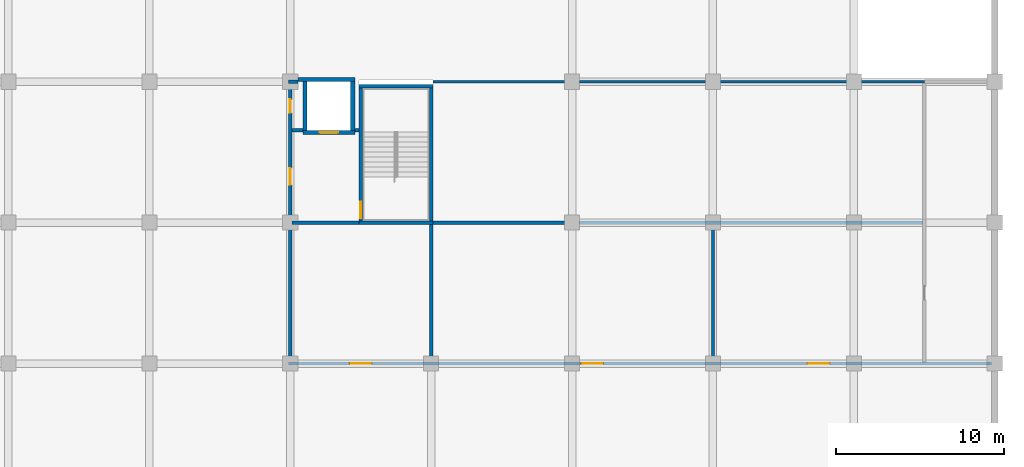
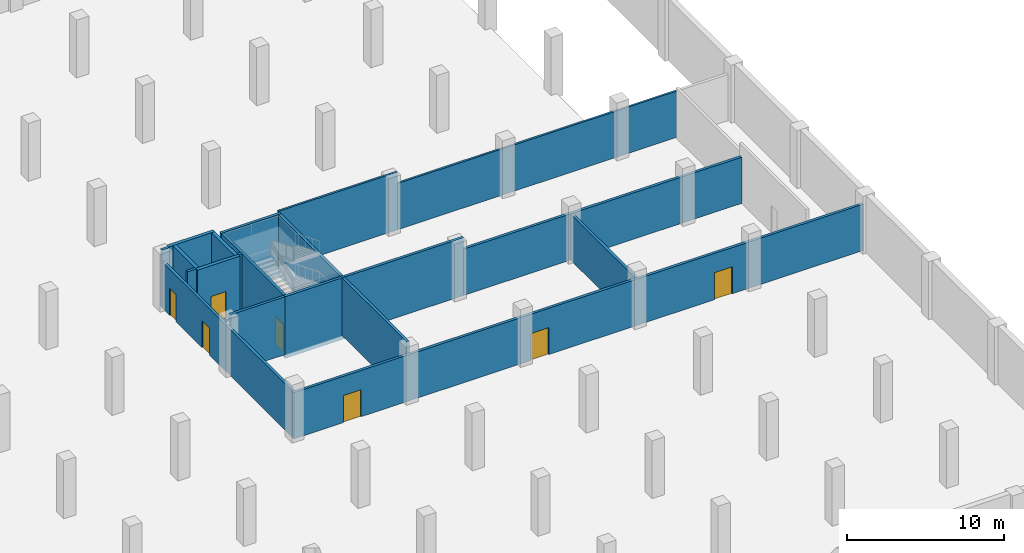
# One storey, part 4 of 13: 20 walls, 7 doors, 7 openings.
"""IFC4 building model written with IfcOpenShell, lengths in metres."""

from ifc_helpers import new_model, si_unit, direction, frame, frame_2d, origin, place, context, subcontext, project, spatial, rectangle, extrude, material, layer, layer_set, type_object, element, fill, save


model = new_model("IFC4")

# Units and contexts
model_context = context("Model", 3, precision=1e-05, world=origin(), true_north=direction((0.0, 1.0)))
body_context = subcontext(model_context, "Body", "Model", "MODEL_VIEW")
ifc_project = project(units=[si_unit("LENGTHUNIT", "METRE"), si_unit("AREAUNIT", "SQUARE_METRE"), si_unit("VOLUMEUNIT", "CUBIC_METRE"), si_unit("PLANEANGLEUNIT", "RADIAN"), si_unit("MASSUNIT", "GRAM", prefix="KILO")], contexts=[model_context])

# Site, building, storey
site_placement = place(None, origin())
site = spatial("IfcSite", under=ifc_project, at=site_placement, CompositionType="ELEMENT")
building_placement = place(site_placement, origin())
building = spatial("IfcBuilding", under=site, at=building_placement, Name="Rulbaag Community and Learning Centre", CompositionType="ELEMENT")
storey_placement = place(building_placement, frame((0.0, 0.0, -4.800048828125)))
storey = spatial("IfcBuildingStorey", under=building, at=storey_placement, Name="B1", CompositionType="ELEMENT", Elevation=-4.800048828125)

# Wall, openings, doors
ifc_material_1 = material(Name="Concrete blockwork", Category="masonry")
ifc_layer_1 = layer(ifc_material_1, 0.199951171875)
ifc_layer_set_1 = layer_set([ifc_layer_1], Name="FW-200 FIRE WALL 200")
wall_type_1 = type_object("IfcWallType", Name="FW-200 FIRE WALL 200", PredefinedType="SOLIDWALL", material=ifc_layer_set_1)
wall_1_placement = place(storey_placement, frame((125.89990234375, 33.60009765625, 0.0), z_axis=(0.0, 0.0, 1.0), x_axis=(1.0, 0.0, 0.0)))
wall_1 = element("IfcWall", 1, at=wall_1_placement, inside=storey, type_object=wall_type_1, Name="Fire wall B1 1", PredefinedType="SOLIDWALL", context=body_context, shape_type="SweptSolid", body=[
    extrude(rectangle(XDim=41.900146484375, YDim=0.199951171875, at=frame_2d((20.9501953125, 0.0))), origin(), (0.0, 0.0, 1.0), 3.60009765625),
])
opening_1_placement = place(wall_1_placement, frame((3.64990234375, 0.0, 0.0)))
opening_1 = element("IfcOpeningElement", 2, at=opening_1_placement, cuts=wall_1, Name="Opening B1-D004", PredefinedType="OPENING", context=body_context, shape_type="SweptSolid", body=[
    extrude(rectangle(XDim=1.300048828125, YDim=2.10009765625, at=frame_2d((0.64990234375, 1.050048828125))), frame((0.0, 0.10986328125, 0.0), z_axis=(0.0, -1.0, 0.0), x_axis=(1.0, 0.0, 0.0)), (0.0, 0.0, 1.0), 0.219970703125),
])
opening_2_placement = place(wall_1_placement, frame((17.449951171875, 0.0, 0.0)))
opening_2 = element("IfcOpeningElement", 3, at=opening_2_placement, cuts=wall_1, Name="Opening B1-D006", PredefinedType="OPENING", context=body_context, shape_type="SweptSolid", body=[
    extrude(rectangle(XDim=1.300048828125, YDim=2.10009765625, at=frame_2d((0.64990234375, 1.050048828125))), frame((0.0, 0.10986328125, 0.0), z_axis=(0.0, -1.0, 0.0), x_axis=(1.0, 0.0, 0.0)), (0.0, 0.0, 1.0), 0.219970703125),
])
opening_3_placement = place(wall_1_placement, frame((30.949951171875, 0.0, 0.0)))
opening_3 = element("IfcOpeningElement", 4, at=opening_3_placement, cuts=wall_1, Name="Opening B1-D019", PredefinedType="OPENING", context=body_context, shape_type="SweptSolid", body=[
    extrude(rectangle(XDim=1.300048828125, YDim=2.10009765625, at=frame_2d((0.64990234375, 1.050048828125))), frame((0.0, 0.10986328125, 0.0), z_axis=(0.0, -1.0, 0.0), x_axis=(1.0, 0.0, 0.0)), (0.0, 0.0, 1.0), 0.219970703125),
])
ifc_material_2 = material(Name="Timber", Category="wood")
door_type_1 = type_object("IfcDoorType", Name="D-1300 REFUSE AND PUMP ROOM DOOR 1300 x 2100", OperationType="SINGLE_SWING_LEFT", PredefinedType="DOOR", material=ifc_material_2)
door_1_placement = place(opening_1_placement, origin())
door_1 = element("IfcDoor", 5, at=door_1_placement, inside=storey, type_object=door_type_1, Name="Door B1-D004", OperationType="SINGLE_SWING_RIGHT", OverallHeight=2.10009765625, OverallWidth=1.300048828125, PredefinedType="DOOR", context=body_context, shape_type="SweptSolid", body=[
    extrude(rectangle(XDim=1.300048828125, YDim=2.10009765625, at=frame_2d((0.64990234375, 1.050048828125))), frame((0.0, 0.02490234375, 0.0), z_axis=(0.0, -1.0, 0.0), x_axis=(1.0, 0.0, 0.0)), (0.0, 0.0, 1.0), 0.050048828125),
])
fill(opening_1, door_1)
door_2_placement = place(opening_2_placement, origin())
door_2 = element("IfcDoor", 6, at=door_2_placement, inside=storey, type_object=door_type_1, Name="Door B1-D006", OperationType="SINGLE_SWING_RIGHT", OverallHeight=2.10009765625, OverallWidth=1.300048828125, PredefinedType="DOOR", context=body_context, shape_type="SweptSolid", body=[
    extrude(rectangle(XDim=1.300048828125, YDim=2.10009765625, at=frame_2d((0.64990234375, 1.050048828125))), frame((0.0, 0.02490234375, 0.0), z_axis=(0.0, -1.0, 0.0), x_axis=(1.0, 0.0, 0.0)), (0.0, 0.0, 1.0), 0.050048828125),
])
fill(opening_2, door_2)
door_3_placement = place(opening_3_placement, origin())
door_3 = element("IfcDoor", 7, at=door_3_placement, inside=storey, type_object=door_type_1, Name="Door B1-D019", OperationType="SINGLE_SWING_LEFT", OverallHeight=2.10009765625, OverallWidth=1.300048828125, PredefinedType="DOOR", context=body_context, shape_type="SweptSolid", body=[
    extrude(rectangle(XDim=1.300048828125, YDim=2.10009765625, at=frame_2d((0.64990234375, 1.050048828125))), frame((0.0, 0.02490234375, 0.0), z_axis=(0.0, -1.0, 0.0), x_axis=(1.0, 0.0, 0.0)), (0.0, 0.0, 1.0), 0.050048828125),
])
fill(opening_3, door_3)

# Walls
wall_2_placement = place(storey_placement, frame((126.10009765625, 42.0, 0.0), z_axis=(0.0, 0.0, 1.0), x_axis=(1.0, 0.0, 0.0)))
element("IfcWall", 8, at=wall_2_placement, inside=storey, type_object=wall_type_1, Name="Fire wall B1 2", PredefinedType="SOLIDWALL", context=body_context, shape_type="SweptSolid", body=[
    extrude(rectangle(XDim=4.0, YDim=0.199951171875, at=frame_2d((2.0, 0.0))), origin(), (0.0, 0.0, 1.0), 4.5),
])
wall_3_placement = place(storey_placement, frame((134.5, 42.0, 0.0), z_axis=(0.0, 0.0, 1.0), x_axis=(1.0, 0.0, 0.0)))
element("IfcWall", 9, at=wall_3_placement, inside=storey, type_object=wall_type_1, Name="Fire wall B1 3", PredefinedType="SOLIDWALL", context=body_context, shape_type="SweptSolid", body=[
    extrude(rectangle(XDim=8.72998046875, YDim=0.199951171875, at=frame_2d((4.364990234375, 0.0))), origin(), (0.0, 0.0, 1.0), 4.5),
])
wall_4_placement = place(storey_placement, frame((143.22998046875, 42.0, 0.0), z_axis=(0.0, 0.0, 1.0), x_axis=(1.0, 0.0, 0.0)))
element("IfcWall", 10, at=wall_4_placement, inside=storey, type_object=wall_type_1, Name="Fire wall B1 3.2", PredefinedType="SOLIDWALL", context=body_context, shape_type="SweptSolid", body=[
    extrude(rectangle(XDim=20.469970703125, YDim=0.199951171875, at=frame_2d((10.23486328125, 0.0))), origin(), (0.0, 0.0, 1.0), 3.60009765625),
])
wall_5_placement = place(storey_placement, frame((126.10009765625, 47.5, 0.0), z_axis=(0.0, 0.0, 1.0), x_axis=(1.0, 0.0, 0.0)))
element("IfcWall", 11, at=wall_5_placement, inside=storey, type_object=wall_type_1, Name="Fire wall B1 4", PredefinedType="SOLIDWALL", context=body_context, shape_type="SweptSolid", body=[
    extrude(rectangle(XDim=0.64990234375, YDim=0.199951171875, at=frame_2d((0.324951171875, 0.0))), origin(), (0.0, 0.0, 1.0), 4.5),
])
wall_6_placement = place(storey_placement, frame((129.85009765625, 47.5, 0.0), z_axis=(0.0, 0.0, 1.0), x_axis=(1.0, 0.0, 0.0)))
element("IfcWall", 12, at=wall_6_placement, inside=storey, type_object=wall_type_1, Name="Fire wall B1 5", PredefinedType="SOLIDWALL", context=body_context, shape_type="SweptSolid", body=[
    extrude(rectangle(XDim=0.25, YDim=0.199951171875, at=frame_2d((0.125, 0.0))), origin(), (0.0, 0.0, 1.0), 4.5),
])
wall_7_placement = place(storey_placement, frame((125.89990234375, 50.39990234375, 0.0), z_axis=(0.0, 0.0, 1.0), x_axis=(1.0, 0.0, 0.0)))
element("IfcWall", 13, at=wall_7_placement, inside=storey, type_object=wall_type_1, Name="Fire wall B1 6", PredefinedType="SOLIDWALL", context=body_context, shape_type="SweptSolid", body=[
    extrude(rectangle(XDim=0.550048828125, YDim=0.199951171875, at=frame_2d((0.27490234375, 0.0))), origin(), (0.0, 0.0, 1.0), 4.5),
])

# Wall, openings, doors
wall_8_placement = place(storey_placement, frame((126.0, 33.699951171875, 0.0), z_axis=(0.0, 0.0, 1.0), x_axis=(0.0, 1.0, 0.0)))
wall_8 = element("IfcWall", 14, at=wall_8_placement, inside=storey, type_object=wall_type_1, Name="Fire wall B1 19", PredefinedType="SOLIDWALL", context=body_context, shape_type="SweptSolid", body=[
    extrude(rectangle(XDim=16.60009765625, YDim=0.199951171875, at=frame_2d((8.300048828125, 0.0))), origin(), (0.0, 0.0, 1.0), 3.60009765625),
])
opening_4_placement = place(wall_8_placement, frame((14.85009765625, 0.0, 0.0)))
opening_4 = element("IfcOpeningElement", 15, at=opening_4_placement, cuts=wall_8, Name="Opening B1-D002", PredefinedType="OPENING", context=body_context, shape_type="SweptSolid", body=[
    extrude(rectangle(XDim=0.800048828125, YDim=2.10009765625, at=frame_2d((0.39990234375, 1.050048828125))), frame((0.0, 0.10986328125, 0.0), z_axis=(0.0, -1.0, 0.0), x_axis=(1.0, 0.0, 0.0)), (0.0, 0.0, 1.0), 0.219970703125),
])
opening_5_placement = place(wall_8_placement, frame((10.550048828125, 0.0, 0.0)))
opening_5 = element("IfcOpeningElement", 16, at=opening_5_placement, cuts=wall_8, Name="Opening B1-D001", PredefinedType="OPENING", context=body_context, shape_type="SweptSolid", body=[
    extrude(rectangle(XDim=1.0, YDim=2.10009765625, at=frame_2d((0.5, 1.050048828125))), frame((0.0, 0.10986328125, 0.0), z_axis=(0.0, -1.0, 0.0), x_axis=(1.0, 0.0, 0.0)), (0.0, 0.0, 1.0), 0.219970703125),
])
ifc_material_3 = material(Name="Galvanised steel", Category="steel")
door_type_2 = type_object("IfcDoorType", Name="FD-1000 FIRE DOOR 1000 x 2100", OperationType="SINGLE_SWING_LEFT", PredefinedType="DOOR", material=ifc_material_3)
door_4_placement = place(opening_5_placement, origin())
door_4 = element("IfcDoor", 17, at=door_4_placement, inside=storey, type_object=door_type_2, Name="Door B1-D001", OperationType="SINGLE_SWING_RIGHT", OverallHeight=2.10009765625, OverallWidth=1.0, PredefinedType="DOOR", context=body_context, shape_type="SweptSolid", body=[
    extrude(rectangle(XDim=1.0, YDim=2.10009765625, at=frame_2d((0.5, 1.050048828125))), frame((0.0, 0.02490234375, 0.0), z_axis=(0.0, -1.0, 0.0), x_axis=(1.0, 0.0, 0.0)), (0.0, 0.0, 1.0), 0.050048828125),
])
fill(opening_5, door_4)
door_type_3 = type_object("IfcDoorType", Name="FDR-800 RISER FIRE DOOR 800 x 2100", OperationType="SINGLE_SWING_LEFT", PredefinedType="DOOR", material=ifc_material_3)
door_5_placement = place(opening_4_placement, origin())
door_5 = element("IfcDoor", 18, at=door_5_placement, inside=storey, type_object=door_type_3, Name="Riser door B1-D017", OperationType="SINGLE_SWING_RIGHT", OverallHeight=2.10009765625, OverallWidth=0.800048828125, PredefinedType="DOOR", context=body_context, shape_type="SweptSolid", body=[
    extrude(rectangle(XDim=0.800048828125, YDim=2.10009765625, at=frame_2d((0.39990234375, 1.050048828125))), frame((0.0, 0.02490234375, 0.0), z_axis=(0.0, -1.0, 0.0), x_axis=(1.0, 0.0, 0.0)), (0.0, 0.0, 1.0), 0.050048828125),
])
fill(opening_4, door_5)

# Walls
wall_9_placement = place(storey_placement, frame((134.39990234375, 33.699951171875, 0.0), z_axis=(0.0, 0.0, 1.0), x_axis=(0.0, 1.0, 0.0)))
element("IfcWall", 19, at=wall_9_placement, inside=storey, type_object=wall_type_1, Name="Fire wall B1 21", PredefinedType="SOLIDWALL", context=body_context, shape_type="SweptSolid", body=[
    extrude(rectangle(XDim=8.400146484375, YDim=0.199951171875, at=frame_2d((4.2001953125, 0.0))), origin(), (0.0, 0.0, 1.0), 4.5),
])
wall_10_placement = place(storey_placement, frame((151.199951171875, 33.699951171875, 0.0), z_axis=(0.0, 0.0, 1.0), x_axis=(0.0, 1.0, 0.0)))
element("IfcWall", 20, at=wall_10_placement, inside=storey, type_object=wall_type_1, Name="Fire wall B1 26", PredefinedType="SOLIDWALL", context=body_context, shape_type="SweptSolid", body=[
    extrude(rectangle(XDim=8.199951171875, YDim=0.199951171875, at=frame_2d((4.10009765625, 0.0))), origin(), (0.0, 0.0, 1.0), 3.60009765625),
])
ifc_layer_2 = layer(ifc_material_1, 0.14990234375)
ifc_layer_set_2 = layer_set([ifc_layer_2], Name="IP-150 PARTITION 150")
wall_type_2 = type_object("IfcWallType", Name="IP-150 PARTITION 150", PredefinedType="PARTITIONING", material=ifc_layer_set_2)
wall_11_placement = place(storey_placement, frame((134.5, 50.39990234375, 0.0), z_axis=(0.0, 0.0, 1.0), x_axis=(1.0, 0.0, 0.0)))
element("IfcWall", 21, at=wall_11_placement, inside=storey, type_object=wall_type_2, Name="Partition B1 7", PredefinedType="PARTITIONING", context=body_context, shape_type="SweptSolid", body=[
    extrude(rectangle(XDim=8.72998046875, YDim=0.14990234375, at=frame_2d((4.364990234375, 0.0))), origin(), (0.0, 0.0, 1.0), 4.5),
])
wall_12_placement = place(storey_placement, frame((143.22998046875, 50.39990234375, 0.0), z_axis=(0.0, 0.0, 1.0), x_axis=(1.0, 0.0, 0.0)))
element("IfcWall", 22, at=wall_12_placement, inside=storey, type_object=wall_type_2, Name="Partition B1 7.2", PredefinedType="PARTITIONING", context=body_context, shape_type="SweptSolid", body=[
    extrude(rectangle(XDim=20.570068359375, YDim=0.14990234375, at=frame_2d((10.28515625, 0.0))), origin(), (0.0, 0.0, 1.0), 3.60009765625),
])

# Wall, opening, door
ifc_material_4 = material(Name="Concrete M40", Category="concrete")
ifc_layer_3 = layer(ifc_material_4, 0.25)
ifc_layer_set_3 = layer_set([ifc_layer_3], Name="W8 Lift shaft wall 250 Concrete M40")
wall_type_3 = type_object("IfcWallType", Name="W8 Lift shaft wall 250 Concrete M40", PredefinedType="SHEAR", material=ifc_layer_set_3)
wall_13_placement = place(storey_placement, frame((126.75, 47.375, -0.300048828125), z_axis=(0.0, 0.0, 1.0), x_axis=(1.0, 0.0, 0.0)))
wall_13 = element("IfcWall", 23, at=wall_13_placement, inside=storey, type_object=wall_type_3, Name="WL-LH3-S-B1", PredefinedType="SHEAR", context=body_context, shape_type="SweptSolid", body=[
    extrude(rectangle(XDim=3.10009765625, YDim=0.25, at=frame_2d((1.550048828125, 0.0))), origin(), (0.0, 0.0, 1.0), 4.800048828125),
])
opening_6_placement = place(wall_13_placement, frame((1.0, 0.0, 0.300048828125)))
opening_6 = element("IfcOpeningElement", 24, at=opening_6_placement, cuts=wall_13, Name="Opening B1-D003", PredefinedType="OPENING", context=body_context, shape_type="SweptSolid", body=[
    extrude(rectangle(XDim=1.10009765625, YDim=2.10009765625, at=frame_2d((0.550048828125, 1.050048828125))), frame((0.0, 0.135009765625, 0.0), z_axis=(0.0, -1.0, 0.0), x_axis=(1.0, 0.0, 0.0)), (0.0, 0.0, 1.0), 0.27001953125),
])
ifc_material_5 = material(Name="Stainless steel grade 304", Category="steel")
door_type_4 = type_object("IfcDoorType", Name="LD-1100 LIFT LANDING DOOR 1100 x 2100", OperationType="SLIDING_TO_LEFT", PredefinedType="DOOR", material=ifc_material_5)
door_6_placement = place(opening_6_placement, origin())
door_6 = element("IfcDoor", 25, at=door_6_placement, inside=storey, type_object=door_type_4, Name="Lift landing door LH3 B1", OperationType="SLIDING_TO_LEFT", OverallHeight=2.10009765625, OverallWidth=1.10009765625, PredefinedType="DOOR", context=body_context, shape_type="SweptSolid", body=[
    extrude(rectangle(XDim=1.10009765625, YDim=2.10009765625, at=frame_2d((0.550048828125, 1.050048828125))), frame((0.0, 0.02490234375, 0.0), z_axis=(0.0, -1.0, 0.0), x_axis=(1.0, 0.0, 0.0)), (0.0, 0.0, 1.0), 0.050048828125),
])
fill(opening_6, door_6)

# Walls
wall_14_placement = place(storey_placement, frame((126.449951171875, 50.52490234375, -0.300048828125), z_axis=(0.0, 0.0, 1.0), x_axis=(1.0, 0.0, 0.0)))
element("IfcWall", 26, at=wall_14_placement, inside=storey, type_object=wall_type_3, Name="WL-LH3-N-B1", PredefinedType="SHEAR", context=body_context, shape_type="SweptSolid", body=[
    extrude(rectangle(XDim=3.400146484375, YDim=0.25, at=frame_2d((1.7001953125, 0.0))), origin(), (0.0, 0.0, 1.0), 4.800048828125),
])
for number, where, z_axis, x_axis, name in (
    (27, (126.875, 47.5, -0.300048828125), (0.0, 0.0, 1.0), (0.0, 1.0, 0.0), "WL-LH3-W-B1"),
    (28, (129.72509765625, 47.5, -0.300048828125), (0.0, 0.0, 1.0), (0.0, 1.0, 0.0), "WL-LH3-E-B1"),
):
    element("IfcWall", number, at=place(storey_placement, frame(where, z_axis=z_axis, x_axis=x_axis)), inside=storey, type_object=wall_type_3, Name=name, PredefinedType="SHEAR", context=body_context, shape_type="SweptSolid", body=[
        extrude(rectangle(XDim=2.89990234375, YDim=0.25, at=frame_2d((1.449951171875, 0.0))), origin(), (0.0, 0.0, 1.0), 4.800048828125),
    ])
ifc_layer_4 = layer(ifc_material_4, 0.199951171875)
ifc_layer_set_4 = layer_set([ifc_layer_4], Name="WSE Stair enclosure wall 200 Concrete M40")
wall_type_4 = type_object("IfcWallType", Name="WSE Stair enclosure wall 200 Concrete M40", PredefinedType="SHEAR", material=ifc_layer_set_4)
for number, where, z_axis, x_axis, name in (
    (29, (130.10009765625, 42.0, -0.300048828125), (0.0, 0.0, 1.0), (1.0, 0.0, 0.0), "Stair enclosure wall SH3 S B1"),
    (30, (130.10009765625, 50.125, -0.300048828125), (0.0, 0.0, 1.0), (1.0, 0.0, 0.0), "Stair enclosure wall SH3 N B1"),
):
    element("IfcWall", number, at=place(storey_placement, frame(where, z_axis=z_axis, x_axis=x_axis)), inside=storey, type_object=wall_type_4, Name=name, PredefinedType="SHEAR", context=body_context, shape_type="SweptSolid", body=[
        extrude(rectangle(XDim=4.39990234375, YDim=0.199951171875, at=frame_2d((2.199951171875, 0.0))), origin(), (0.0, 0.0, 1.0), 4.800048828125),
    ])

# Wall, opening, door
wall_15_placement = place(storey_placement, frame((130.199951171875, 42.10009765625, -0.300048828125), z_axis=(0.0, 0.0, 1.0), x_axis=(0.0, 1.0, 0.0)))
wall_15 = element("IfcWall", 31, at=wall_15_placement, inside=storey, type_object=wall_type_4, Name="Stair enclosure wall SH3 W B1", PredefinedType="SHEAR", context=body_context, shape_type="SweptSolid", body=[
    extrude(rectangle(XDim=7.9248046875, YDim=0.199951171875, at=frame_2d((3.96240234375, 0.0))), origin(), (0.0, 0.0, 1.0), 4.800048828125),
])
opening_7_placement = place(wall_15_placement, frame((0.14990234375, 0.0, 0.300048828125)))
opening_7 = element("IfcOpeningElement", 32, at=opening_7_placement, cuts=wall_15, Name="Opening B1-D005", PredefinedType="OPENING", context=body_context, shape_type="SweptSolid", body=[
    extrude(rectangle(XDim=1.0, YDim=2.10009765625, at=frame_2d((0.5, 1.050048828125))), frame((0.0, 0.10986328125, 0.0), z_axis=(0.0, -1.0, 0.0), x_axis=(1.0, 0.0, 0.0)), (0.0, 0.0, 1.0), 0.219970703125),
])
door_7_placement = place(opening_7_placement, origin())
door_7 = element("IfcDoor", 33, at=door_7_placement, inside=storey, type_object=door_type_2, Name="Door B1-D005", OperationType="SINGLE_SWING_LEFT", OverallHeight=2.10009765625, OverallWidth=1.0, PredefinedType="DOOR", context=body_context, shape_type="SweptSolid", body=[
    extrude(rectangle(XDim=1.0, YDim=2.10009765625, at=frame_2d((0.5, 1.050048828125))), frame((0.0, 0.02490234375, 0.0), z_axis=(0.0, -1.0, 0.0), x_axis=(1.0, 0.0, 0.0)), (0.0, 0.0, 1.0), 0.050048828125),
])
fill(opening_7, door_7)

# Wall
wall_16_placement = place(storey_placement, frame((134.39990234375, 42.10009765625, -0.300048828125), z_axis=(0.0, 0.0, 1.0), x_axis=(0.0, 1.0, 0.0)))
element("IfcWall", 34, at=wall_16_placement, inside=storey, type_object=wall_type_4, Name="Stair enclosure wall SH3 E B1", PredefinedType="SHEAR", context=body_context, shape_type="SweptSolid", body=[
    extrude(rectangle(XDim=7.9248046875, YDim=0.199951171875, at=frame_2d((3.96240234375, 0.0))), origin(), (0.0, 0.0, 1.0), 4.800048828125),
])

save(model, "model.ifc")
